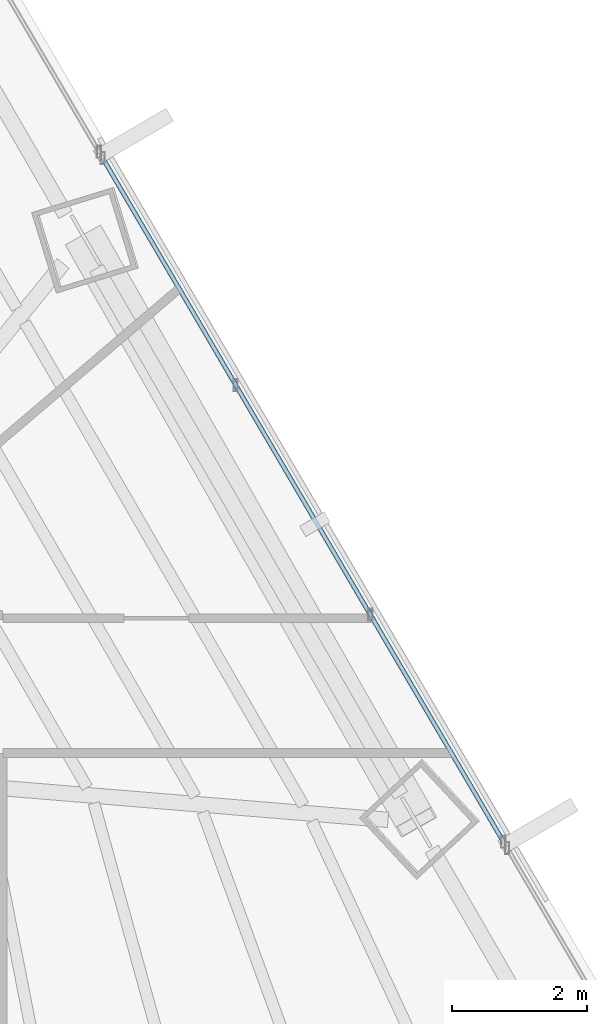
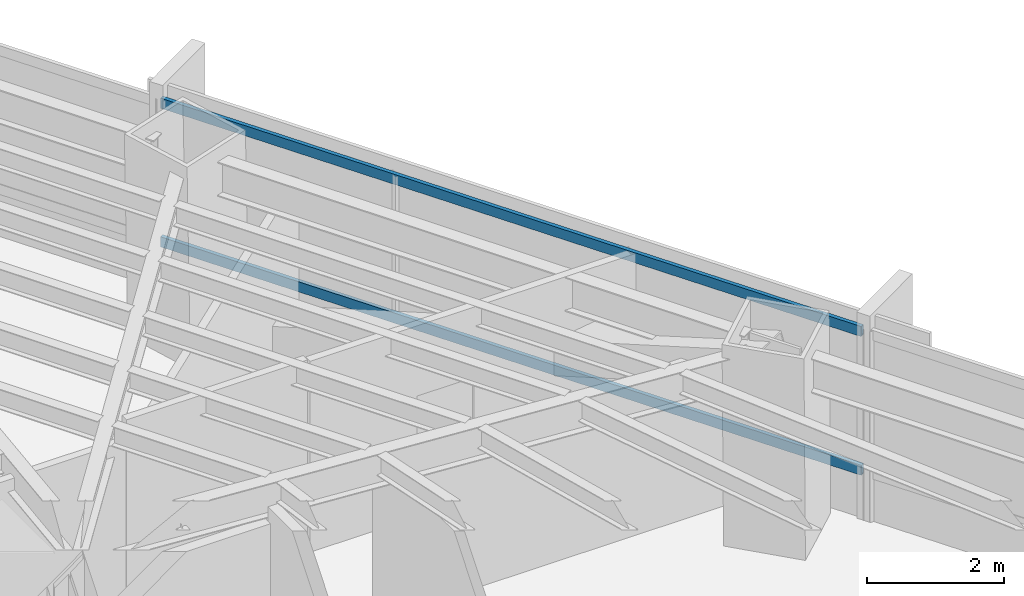
# One storey, part 24 of 37: 2 members, 1 element without a shape of its own.
"""IFC4 building model written with IfcOpenShell, lengths in metres."""

from ifc_helpers import new_model, si_unit, direction, frame, origin, origin_2d, place, context, subcontext, project, spatial, hollow_rectangle, extrude, source, transform, mapped, material, material_profile, profile_set, type_object, type_shapes, element, aggregate, save


model = new_model("IFC4")

# Units and contexts
model_context = context("Model", 3, precision=1e-05, world=origin(), true_north=direction((0.0, 1.0)))
body_context = subcontext(model_context, "Body", "Model", "MODEL_VIEW")
ifc_project = project(units=[si_unit("LENGTHUNIT", "METRE"), si_unit("AREAUNIT", "SQUARE_METRE"), si_unit("VOLUMEUNIT", "CUBIC_METRE"), si_unit("PLANEANGLEUNIT", "RADIAN"), si_unit("MASSUNIT", "GRAM", prefix="KILO")], contexts=[model_context])

# Site, building, storey
site_placement = place(None, origin())
site = spatial("IfcSite", under=ifc_project, at=site_placement, CompositionType="ELEMENT")
building_placement = place(site_placement, origin())
building = spatial("IfcBuilding", under=site, at=building_placement, Name="Caelisora Broadcast Tower", CompositionType="ELEMENT")
storey_placement = place(building_placement, frame((0.0, 0.0, 45.85009765625)))
storey = spatial("IfcBuildingStorey", under=building, at=storey_placement, Name="L11", CompositionType="ELEMENT", Elevation=45.85009765625)

# Curtain wall, members
ifc_material_1 = material(Name="Unitised Aluminium Insulated Shadow-Box Spandrel Curtain Wall", Category="aluminium")
curtain_wall_type = type_object("IfcCurtainWallType", Name="CW-SP1", PredefinedType="NOTDEFINED", material=ifc_material_1)
curtain_wall_placement = place(storey_placement, origin())
curtain_wall = element("IfcCurtainWall", 1, at=curtain_wall_placement, inside=storey, type_object=curtain_wall_type, Name="L11 curtain wall CW-SP1", PredefinedType="NOTDEFINED")
ifc_material_2 = material(Name="Aluminium 6063-T6 Anodised Terracotta Bronze", Category="aluminium")
ifc_material_profile = material_profile(ifc_material_2, hollow_rectangle(XDim=0.06494140625, YDim=0.179931640625, WallThickness=0.00341796875, at=origin_2d()), Name="Aluminium 6063-T6 Anodised Terracotta Bronze")
ifc_profile_set = profile_set([ifc_material_profile], Name="Aluminium 6063-T6 Anodised Terracotta Bronze")
member_type = type_object("IfcMemberType", Name="CWT-01", PredefinedType="USERDEFINED", material=ifc_profile_set)
shared_shape = source(origin(), body_context, "Body", "SweptSolid", [
    extrude(hollow_rectangle(XDim=0.06494140625, YDim=0.179931640625, WallThickness=0.00341796875, at=origin_2d()), origin(), (0.0, 0.0, 1.0), 11.758544921875),
])
type_shapes(member_type, [shared_shape])
member_1_placement = place(storey_placement, frame((52.086669921875, 38.92822265625, 0.849853515625), z_axis=(0.505721098268, -0.862697033011, 0.0), x_axis=(0.862697033011, 0.505721098268, 0.0)))
member_1 = element("IfcMember", 2, at=member_1_placement, type_object=member_type, Name="L11-CW-B02 transom #1", ObjectType="TRANSOM", PredefinedType="USERDEFINED", context=body_context, shape_type="MappedRepresentation", body=[
    mapped(shared_shape, transform((0.0, 0.0, 0.0), scale=1.0)),
])
member_2_placement = place(storey_placement, frame((52.086669921875, 38.92822265625, 3.31982421875), z_axis=(0.505721098268, -0.862697033011, 0.0), x_axis=(0.862697033011, 0.505721098268, 0.0)))
member_2 = element("IfcMember", 3, at=member_2_placement, type_object=member_type, Name="L11-CW-B02 transom #2", ObjectType="TRANSOM", PredefinedType="USERDEFINED", context=body_context, shape_type="MappedRepresentation", body=[
    mapped(shared_shape, transform((0.0, 0.0, 0.0), scale=1.0)),
])
aggregate(curtain_wall, [member_1, member_2])

save(model, "model.ifc")
